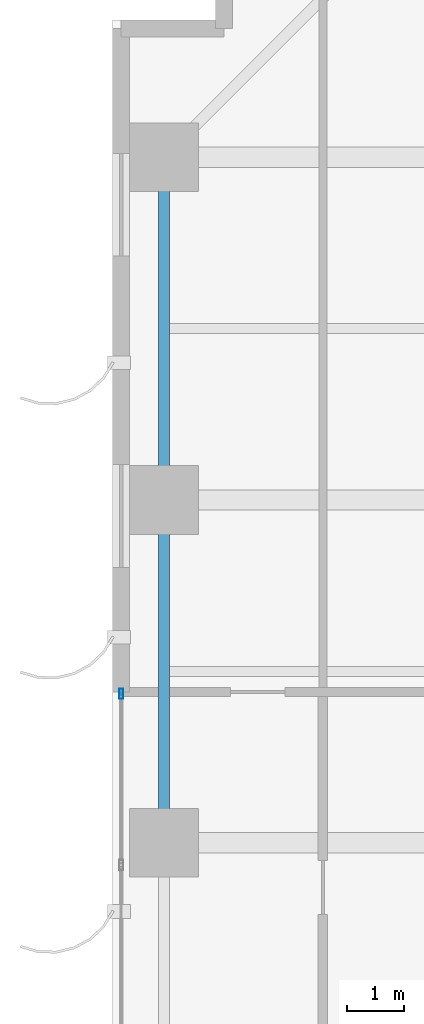
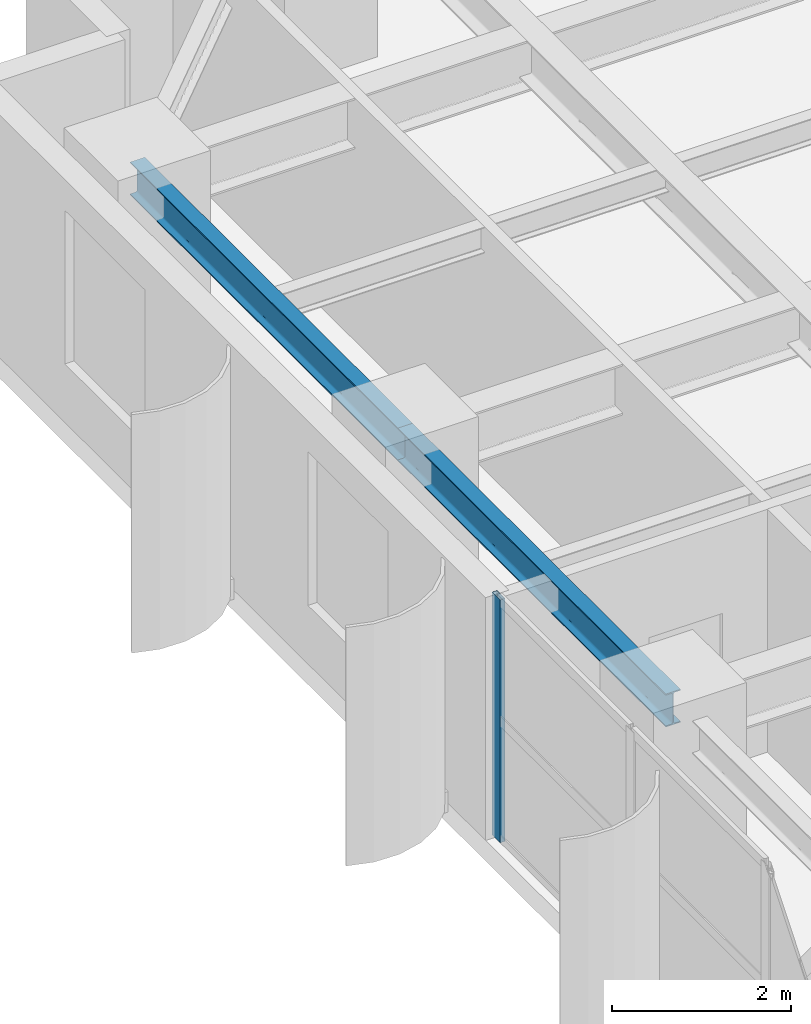
# One storey, part 12 of 25: 2 beams, 1 member, 1 element without a shape of its own.
"""IFC4 building model written with IfcOpenShell, lengths in metres."""

from ifc_helpers import new_model, si_unit, direction, frame, origin, origin_2d, place, context, subcontext, project, spatial, hollow_rectangle, i_section, extrude, source, transform, mapped, material, layer, layer_set, material_profile, profile_set, type_object, element, aggregate, save


model = new_model("IFC4")

# Units and contexts
model_context = context("Model", 3, precision=1e-05, world=origin(), true_north=direction((0.0, 1.0)))
body_context = subcontext(model_context, "Body", "Model", "MODEL_VIEW")
ifc_project = project(units=[si_unit("LENGTHUNIT", "METRE"), si_unit("AREAUNIT", "SQUARE_METRE"), si_unit("VOLUMEUNIT", "CUBIC_METRE"), si_unit("PLANEANGLEUNIT", "RADIAN"), si_unit("MASSUNIT", "GRAM", prefix="KILO")], contexts=[model_context])

# Site, building, storey
site_placement = place(None, origin())
site = spatial("IfcSite", under=ifc_project, at=site_placement, CompositionType="ELEMENT")
building_placement = place(site_placement, origin())
building = spatial("IfcBuilding", under=site, at=building_placement, Name="Khoralis Quay Care Tower", CompositionType="ELEMENT")
storey_placement = place(building_placement, frame((0.0, 0.0, 51.300048828125)))
storey = spatial("IfcBuildingStorey", under=building, at=storey_placement, Name="L13", CompositionType="ELEMENT", Elevation=51.300048828125)

# Beams
ifc_material_1 = material(Name="Steel S355", Category="steel")
ifc_material_profile_1 = material_profile(ifc_material_1, i_section(OverallWidth=0.18994140625, OverallDepth=0.449951171875, WebThickness=0.009521484375, FlangeThickness=0.0146484375, FilletRadius=0.02099609375, at=origin_2d()), Name="Steel S355")
ifc_profile_set_1 = profile_set([ifc_material_profile_1], Name="Steel S355")
beam_type = type_object("IfcBeamType", Name="BM-IPE450", PredefinedType="SPANDREL", material=ifc_profile_set_1)
shared_shape_1 = source(origin(), body_context, "Body", "SweptSolid", [
    extrude(i_section(OverallWidth=0.18994140625, OverallDepth=0.449951171875, WebThickness=0.009521484375, FlangeThickness=0.0146484375, FilletRadius=0.02099609375, at=origin_2d()), origin(), (0.0, 0.0, 1.0), 6.0),
])
for number, where, z_axis, x_axis, name in (
    (1, (0.89990234375, 30.0, 3.094970703125), (0.0, 1.0, 0.0), (-1.0, 0.0, 0.0), "BM-TSP-L13-17"),
    (2, (0.89990234375, 36.0, 3.094970703125), (0.0, 1.0, 0.0), (-1.0, 0.0, 0.0), "BM-TSP-L13-18"),
):
    element("IfcBeam", number, at=place(storey_placement, frame(where, z_axis=z_axis, x_axis=x_axis)), inside=storey, type_object=beam_type, Name=name, PredefinedType="SPANDREL", context=body_context, shape_type="MappedRepresentation", body=[
        mapped(shared_shape_1, transform((0.0, 0.0, 0.0), scale=1.0)),
    ])

# Curtain wall, member
ifc_material_2 = material(Name="Pale anodised aluminium", Category="aluminium")
ifc_layer = layer(ifc_material_2, 0.179931640625)
ifc_layer_set = layer_set([ifc_layer], Name="Pale anodised aluminium")
curtain_wall_type = type_object("IfcCurtainWallType", Name="CW-SYS-Z1", PredefinedType="NOTDEFINED", material=ifc_layer_set)
curtain_wall_placement = place(storey_placement, origin())
curtain_wall = element("IfcCurtainWall", 3, at=curtain_wall_placement, inside=storey, type_object=curtain_wall_type, Name="L13 Unitised Curtain Wall CW-L13-P1-E15", PredefinedType="NOTDEFINED")
ifc_material_profile_2 = material_profile(ifc_material_2, hollow_rectangle(XDim=0.06494140625, YDim=0.179931640625, WallThickness=0.00390625, at=origin_2d()), Name="Pale anodised aluminium")
ifc_profile_set_2 = profile_set([ifc_material_profile_2], Name="Pale anodised aluminium")
member_type = type_object("IfcMemberType", Name="CW-MUL-180", PredefinedType="MULLION", material=ifc_profile_set_2)
shared_shape_2 = source(origin(), body_context, "Body", "SweptSolid", [
    extrude(hollow_rectangle(XDim=0.06494140625, YDim=0.179931640625, WallThickness=0.00390625, at=origin_2d()), origin(), (0.0, 0.0, 1.0), 3.320068359375),
])
member_placement = place(storey_placement, frame((0.14990234375, 32.610107421875, 0.0), z_axis=(0.0, 0.0, 1.0), x_axis=(1.0, 0.0, 0.0)))
member = element("IfcMember", 4, at=member_placement, type_object=member_type, Name="CW1 mullion 1", PredefinedType="MULLION", context=body_context, shape_type="MappedRepresentation", body=[
    mapped(shared_shape_2, transform((0.0, 0.0, 0.0), scale=1.0)),
])
aggregate(curtain_wall, [member])

save(model, "model.ifc")
